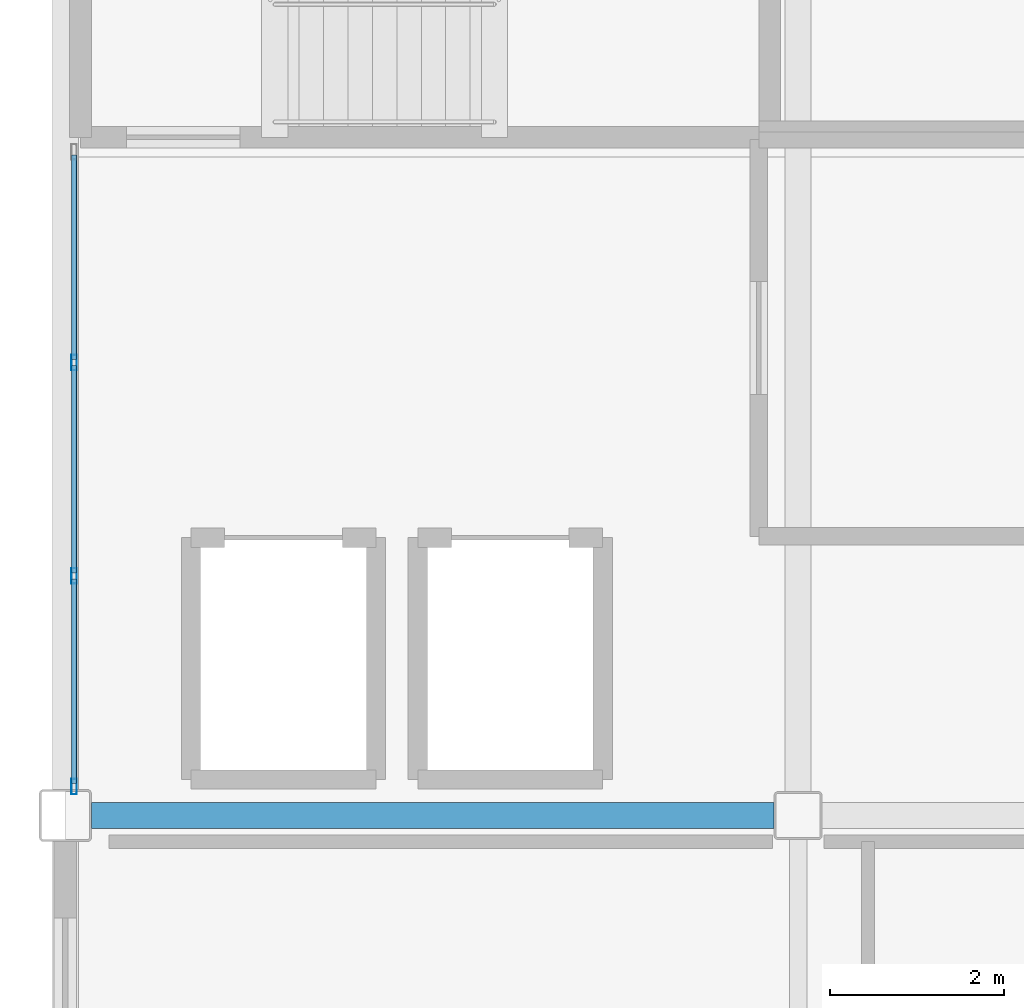
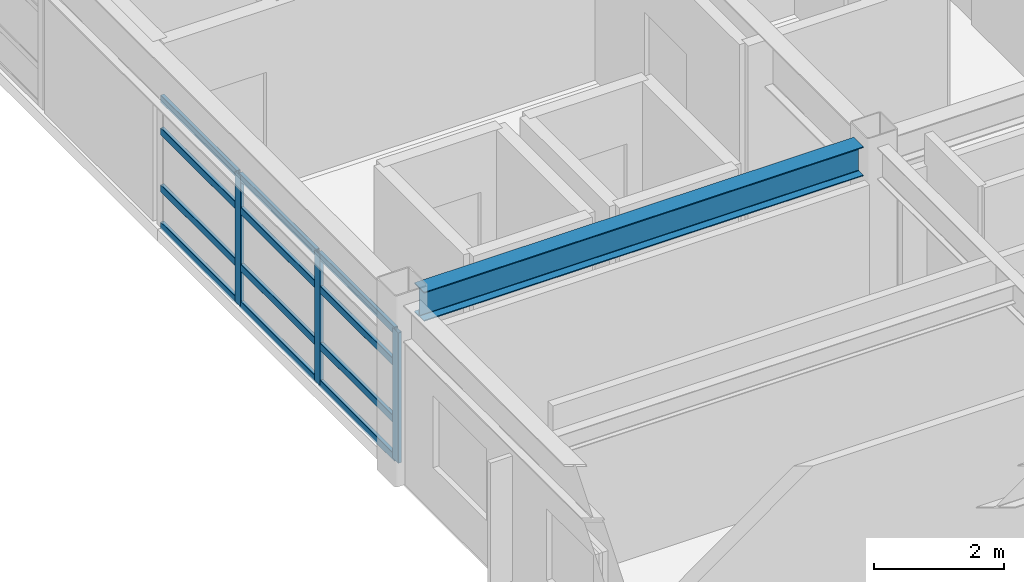
# One storey, part 12 of 38: 15 members, 1 beam, 1 element without a shape of its own.
"""IFC4 building model written with IfcOpenShell, lengths in metres."""

from ifc_helpers import new_model, si_unit, direction, frame, origin, origin_2d, place, context, subcontext, project, spatial, hollow_rectangle, i_section, extrude, material, layer, layer_set, material_profile, profile_set, type_object, element, aggregate, save


model = new_model("IFC4")

# Units and contexts
model_context = context("Model", 3, precision=1e-05, world=origin(), true_north=direction((0.0, 1.0)))
body_context = subcontext(model_context, "Body", "Model", "MODEL_VIEW")
ifc_project = project(units=[si_unit("LENGTHUNIT", "METRE"), si_unit("AREAUNIT", "SQUARE_METRE"), si_unit("VOLUMEUNIT", "CUBIC_METRE"), si_unit("PLANEANGLEUNIT", "RADIAN"), si_unit("MASSUNIT", "GRAM", prefix="KILO")], contexts=[model_context])

# Site, building, storey
site_placement = place(None, origin())
site = spatial("IfcSite", under=ifc_project, at=site_placement, CompositionType="ELEMENT")
building_placement = place(site_placement, origin())
building = spatial("IfcBuilding", under=site, at=building_placement, Name="Kazehara Bluff Congress Hotel", CompositionType="ELEMENT")
storey_placement = place(building_placement, frame((0.0, 0.0, 24.60009765625)))
storey = spatial("IfcBuildingStorey", under=building, at=storey_placement, Name="L05", CompositionType="ELEMENT", Elevation=24.60009765625)

# Curtain wall, members
ifc_material_1 = material(Name="Anodised aluminium", Category="aluminium")
ifc_layer = layer(ifc_material_1, 0.159912109375)
ifc_layer_set = layer_set([ifc_layer], Name="Anodised aluminium")
curtain_wall_type = type_object("IfcCurtainWallType", Name="TP-CW-177", PredefinedType="NOTDEFINED", material=ifc_layer_set)
curtain_wall_placement = place(storey_placement, origin())
curtain_wall = element("IfcCurtainWall", 1, at=curtain_wall_placement, inside=storey, type_object=curtain_wall_type, Name="L05 curtain wall CW-177 CW-ENC-V5-L05-14380-4487", PredefinedType="NOTDEFINED")
ifc_material_2 = material(Name="Anodised aluminium", Category="aluminium")
ifc_material_profile_1 = material_profile(ifc_material_2, hollow_rectangle(XDim=0.06494140625, YDim=0.179931640625, WallThickness=0.00390625, InnerFilletRadius=0.00390625, OuterFilletRadius=0.008056640625, at=origin_2d()))
ifc_profile_set_1 = profile_set([ifc_material_profile_1], Name="Anodised aluminium")
member_type_1 = type_object("IfcMemberType", Name="TP-CWM-02", PredefinedType="MULLION", material=ifc_profile_set_1)
member_1_placement = place(storey_placement, frame((143.800048828125, 41.232421875, 0.0), z_axis=(0.0, 0.0, 1.0), x_axis=(-1.0, 0.0, 0.0)))
member_1 = element("IfcMember", 2, at=member_1_placement, type_object=member_type_1, Name="CW-177 mullion 1", PredefinedType="MULLION", context=body_context, shape_type="SweptSolid", body=[
    extrude(hollow_rectangle(XDim=0.06494140625, YDim=0.179931640625, WallThickness=0.00390625, InnerFilletRadius=0.00390625, OuterFilletRadius=0.008056640625, at=origin_2d()), origin(), (0.0, 0.0, 1.0), 2.454833984375),
])
member_2_placement = place(storey_placement, frame((143.800048828125, 43.646728515625, 0.0), z_axis=(0.0, 0.0, 1.0), x_axis=(-1.0, 0.0, 0.0)))
member_2 = element("IfcMember", 3, at=member_2_placement, type_object=member_type_1, Name="CW-177 mullion 2", PredefinedType="MULLION", context=body_context, shape_type="SweptSolid", body=[
    extrude(hollow_rectangle(XDim=0.06494140625, YDim=0.179931640625, WallThickness=0.00390625, InnerFilletRadius=0.00390625, OuterFilletRadius=0.008056640625, at=origin_2d()), origin(), (0.0, 0.0, 1.0), 2.454833984375),
])
member_3_placement = place(storey_placement, frame((143.800048828125, 46.09326171875, 0.0), z_axis=(0.0, 0.0, 1.0), x_axis=(-1.0, 0.0, 0.0)))
member_3 = element("IfcMember", 4, at=member_3_placement, type_object=member_type_1, Name="CW-177 mullion 3", PredefinedType="MULLION", context=body_context, shape_type="SweptSolid", body=[
    extrude(hollow_rectangle(XDim=0.06494140625, YDim=0.179931640625, WallThickness=0.00390625, InnerFilletRadius=0.00390625, OuterFilletRadius=0.008056640625, at=origin_2d()), origin(), (0.0, 0.0, 1.0), 2.454833984375),
])
ifc_material_3 = material(Name="Anodised aluminium", Category="aluminium")
ifc_material_profile_2 = material_profile(ifc_material_3, hollow_rectangle(XDim=0.06494140625, YDim=0.139892578125, WallThickness=0.00390625, InnerFilletRadius=0.00390625, OuterFilletRadius=0.008056640625, at=origin_2d()))
ifc_profile_set_2 = profile_set([ifc_material_profile_2], Name="Anodised aluminium")
member_type_2 = type_object("IfcMemberType", Name="TP-CWT-02", PredefinedType="USERDEFINED", material=ifc_profile_set_2)
member_4_placement = place(storey_placement, frame((143.800048828125, 41.264892578125, 0.032470703125), z_axis=(0.0, 1.0, 0.0), x_axis=(-1.0, 0.0, 0.0)))
member_4 = element("IfcMember", 5, at=member_4_placement, type_object=member_type_2, Name="CW-177 transom 1.1", ObjectType="TRANSOM", PredefinedType="USERDEFINED", context=body_context, shape_type="SweptSolid", body=[
    extrude(hollow_rectangle(XDim=0.06494140625, YDim=0.139892578125, WallThickness=0.00390625, InnerFilletRadius=0.00390625, OuterFilletRadius=0.008056640625, at=origin_2d()), origin(), (0.0, 0.0, 1.0), 2.349365234375),
])
member_5_placement = place(storey_placement, frame((143.800048828125, 41.264892578125, 0.73486328125), z_axis=(0.0, 1.0, 0.0), x_axis=(-1.0, 0.0, 0.0)))
member_5 = element("IfcMember", 6, at=member_5_placement, type_object=member_type_2, Name="CW-177 transom 1.2", ObjectType="TRANSOM", PredefinedType="USERDEFINED", context=body_context, shape_type="SweptSolid", body=[
    extrude(hollow_rectangle(XDim=0.06494140625, YDim=0.139892578125, WallThickness=0.00390625, InnerFilletRadius=0.00390625, OuterFilletRadius=0.008056640625, at=origin_2d()), origin(), (0.0, 0.0, 1.0), 2.349365234375),
])
member_6_placement = place(storey_placement, frame((143.800048828125, 41.264892578125, 1.804931640625), z_axis=(0.0, 1.0, 0.0), x_axis=(-1.0, 0.0, 0.0)))
member_6 = element("IfcMember", 7, at=member_6_placement, type_object=member_type_2, Name="CW-177 transom 1.3", ObjectType="TRANSOM", PredefinedType="USERDEFINED", context=body_context, shape_type="SweptSolid", body=[
    extrude(hollow_rectangle(XDim=0.06494140625, YDim=0.139892578125, WallThickness=0.00390625, InnerFilletRadius=0.00390625, OuterFilletRadius=0.008056640625, at=origin_2d()), origin(), (0.0, 0.0, 1.0), 2.349365234375),
])
member_7_placement = place(storey_placement, frame((143.800048828125, 41.264892578125, 2.42236328125), z_axis=(0.0, 1.0, 0.0), x_axis=(-1.0, 0.0, 0.0)))
member_7 = element("IfcMember", 8, at=member_7_placement, type_object=member_type_2, Name="CW-177 transom 1.4", ObjectType="TRANSOM", PredefinedType="USERDEFINED", context=body_context, shape_type="SweptSolid", body=[
    extrude(hollow_rectangle(XDim=0.06494140625, YDim=0.139892578125, WallThickness=0.00390625, InnerFilletRadius=0.00390625, OuterFilletRadius=0.008056640625, at=origin_2d()), origin(), (0.0, 0.0, 1.0), 2.349365234375),
])
member_8_placement = place(storey_placement, frame((143.800048828125, 43.67919921875, 0.032470703125), z_axis=(0.0, 1.0, 0.0), x_axis=(-1.0, 0.0, 0.0)))
member_8 = element("IfcMember", 9, at=member_8_placement, type_object=member_type_2, Name="CW-177 transom 2.1", ObjectType="TRANSOM", PredefinedType="USERDEFINED", context=body_context, shape_type="SweptSolid", body=[
    extrude(hollow_rectangle(XDim=0.06494140625, YDim=0.139892578125, WallThickness=0.00390625, InnerFilletRadius=0.00390625, OuterFilletRadius=0.008056640625, at=origin_2d()), origin(), (0.0, 0.0, 1.0), 2.381591796875),
])
member_9_placement = place(storey_placement, frame((143.800048828125, 43.67919921875, 0.73486328125), z_axis=(0.0, 1.0, 0.0), x_axis=(-1.0, 0.0, 0.0)))
member_9 = element("IfcMember", 10, at=member_9_placement, type_object=member_type_2, Name="CW-177 transom 2.2", ObjectType="TRANSOM", PredefinedType="USERDEFINED", context=body_context, shape_type="SweptSolid", body=[
    extrude(hollow_rectangle(XDim=0.06494140625, YDim=0.139892578125, WallThickness=0.00390625, InnerFilletRadius=0.00390625, OuterFilletRadius=0.008056640625, at=origin_2d()), origin(), (0.0, 0.0, 1.0), 2.381591796875),
])
member_10_placement = place(storey_placement, frame((143.800048828125, 43.67919921875, 1.804931640625), z_axis=(0.0, 1.0, 0.0), x_axis=(-1.0, 0.0, 0.0)))
member_10 = element("IfcMember", 11, at=member_10_placement, type_object=member_type_2, Name="CW-177 transom 2.3", ObjectType="TRANSOM", PredefinedType="USERDEFINED", context=body_context, shape_type="SweptSolid", body=[
    extrude(hollow_rectangle(XDim=0.06494140625, YDim=0.139892578125, WallThickness=0.00390625, InnerFilletRadius=0.00390625, OuterFilletRadius=0.008056640625, at=origin_2d()), origin(), (0.0, 0.0, 1.0), 2.381591796875),
])
member_11_placement = place(storey_placement, frame((143.800048828125, 43.67919921875, 2.42236328125), z_axis=(0.0, 1.0, 0.0), x_axis=(-1.0, 0.0, 0.0)))
member_11 = element("IfcMember", 12, at=member_11_placement, type_object=member_type_2, Name="CW-177 transom 2.4", ObjectType="TRANSOM", PredefinedType="USERDEFINED", context=body_context, shape_type="SweptSolid", body=[
    extrude(hollow_rectangle(XDim=0.06494140625, YDim=0.139892578125, WallThickness=0.00390625, InnerFilletRadius=0.00390625, OuterFilletRadius=0.008056640625, at=origin_2d()), origin(), (0.0, 0.0, 1.0), 2.381591796875),
])
member_12_placement = place(storey_placement, frame((143.800048828125, 46.125732421875, 0.032470703125), z_axis=(0.0, 1.0, 0.0), x_axis=(-1.0, 0.0, 0.0)))
member_12 = element("IfcMember", 13, at=member_12_placement, type_object=member_type_2, Name="CW-177 transom 3.1", ObjectType="TRANSOM", PredefinedType="USERDEFINED", context=body_context, shape_type="SweptSolid", body=[
    extrude(hollow_rectangle(XDim=0.06494140625, YDim=0.139892578125, WallThickness=0.00390625, InnerFilletRadius=0.00390625, OuterFilletRadius=0.008056640625, at=origin_2d()), origin(), (0.0, 0.0, 1.0), 2.349365234375),
])
member_13_placement = place(storey_placement, frame((143.800048828125, 46.125732421875, 0.73486328125), z_axis=(0.0, 1.0, 0.0), x_axis=(-1.0, 0.0, 0.0)))
member_13 = element("IfcMember", 14, at=member_13_placement, type_object=member_type_2, Name="CW-177 transom 3.2", ObjectType="TRANSOM", PredefinedType="USERDEFINED", context=body_context, shape_type="SweptSolid", body=[
    extrude(hollow_rectangle(XDim=0.06494140625, YDim=0.139892578125, WallThickness=0.00390625, InnerFilletRadius=0.00390625, OuterFilletRadius=0.008056640625, at=origin_2d()), origin(), (0.0, 0.0, 1.0), 2.349365234375),
])
member_14_placement = place(storey_placement, frame((143.800048828125, 46.125732421875, 1.804931640625), z_axis=(0.0, 1.0, 0.0), x_axis=(-1.0, 0.0, 0.0)))
member_14 = element("IfcMember", 15, at=member_14_placement, type_object=member_type_2, Name="CW-177 transom 3.3", ObjectType="TRANSOM", PredefinedType="USERDEFINED", context=body_context, shape_type="SweptSolid", body=[
    extrude(hollow_rectangle(XDim=0.06494140625, YDim=0.139892578125, WallThickness=0.00390625, InnerFilletRadius=0.00390625, OuterFilletRadius=0.008056640625, at=origin_2d()), origin(), (0.0, 0.0, 1.0), 2.349365234375),
])
member_15_placement = place(storey_placement, frame((143.800048828125, 46.125732421875, 2.42236328125), z_axis=(0.0, 1.0, 0.0), x_axis=(-1.0, 0.0, 0.0)))
member_15 = element("IfcMember", 16, at=member_15_placement, type_object=member_type_2, Name="CW-177 transom 3.4", ObjectType="TRANSOM", PredefinedType="USERDEFINED", context=body_context, shape_type="SweptSolid", body=[
    extrude(hollow_rectangle(XDim=0.06494140625, YDim=0.139892578125, WallThickness=0.00390625, InnerFilletRadius=0.00390625, OuterFilletRadius=0.008056640625, at=origin_2d()), origin(), (0.0, 0.0, 1.0), 2.349365234375),
])
aggregate(curtain_wall, [member_1, member_2, member_3, member_4, member_5, member_6, member_7, member_8, member_9, member_10, member_11, member_12, member_13, member_14, member_15])

# Beam
ifc_material_4 = material(Name="Steel SN490B", Category="steel")
ifc_material_profile_3 = material_profile(ifc_material_4, i_section(OverallWidth=0.300048828125, OverallDepth=0.550048828125, WebThickness=0.010986328125, FlangeThickness=0.01806640625, FilletRadius=0.012939453125, at=origin_2d()))
ifc_profile_set_3 = profile_set([ifc_material_profile_3], Name="Steel SN490B")
beam_type = type_object("IfcBeamType", Name="TP-G-12", PredefinedType="BEAM", material=ifc_profile_set_3)
beam_placement = place(storey_placement, frame((144.0, 40.89990234375, 3.10498046875), z_axis=(1.0, 0.0, 0.0), x_axis=(0.0, 1.0, 0.0)))
element("IfcBeam", 17, at=beam_placement, inside=storey, type_object=beam_type, Name="L05 girder G-12 59", PredefinedType="BEAM", context=body_context, shape_type="SweptSolid", body=[
    extrude(i_section(OverallWidth=0.300048828125, OverallDepth=0.550048828125, WebThickness=0.010986328125, FlangeThickness=0.01806640625, FilletRadius=0.012939453125, at=origin_2d()), origin(), (0.0, 0.0, 1.0), 7.824951171875),
])

save(model, "model.ifc")
